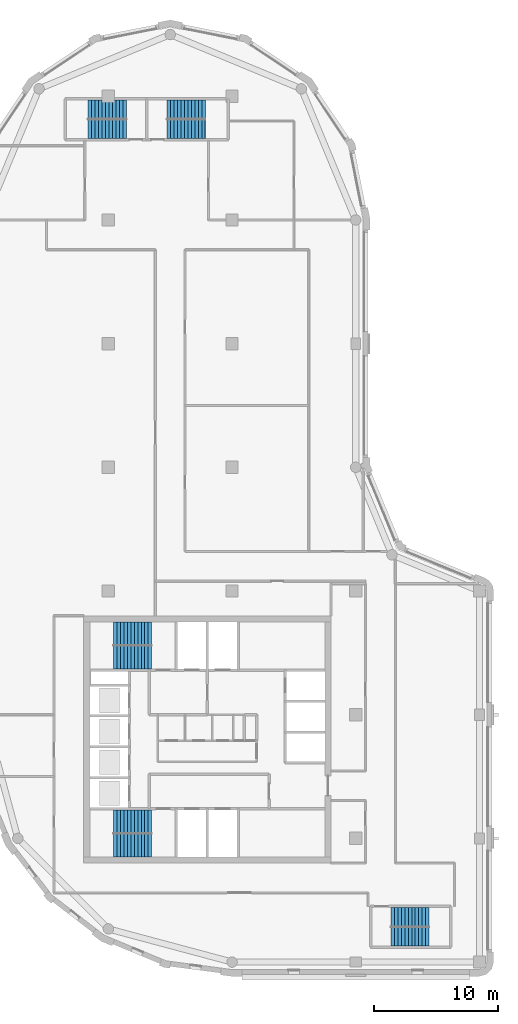
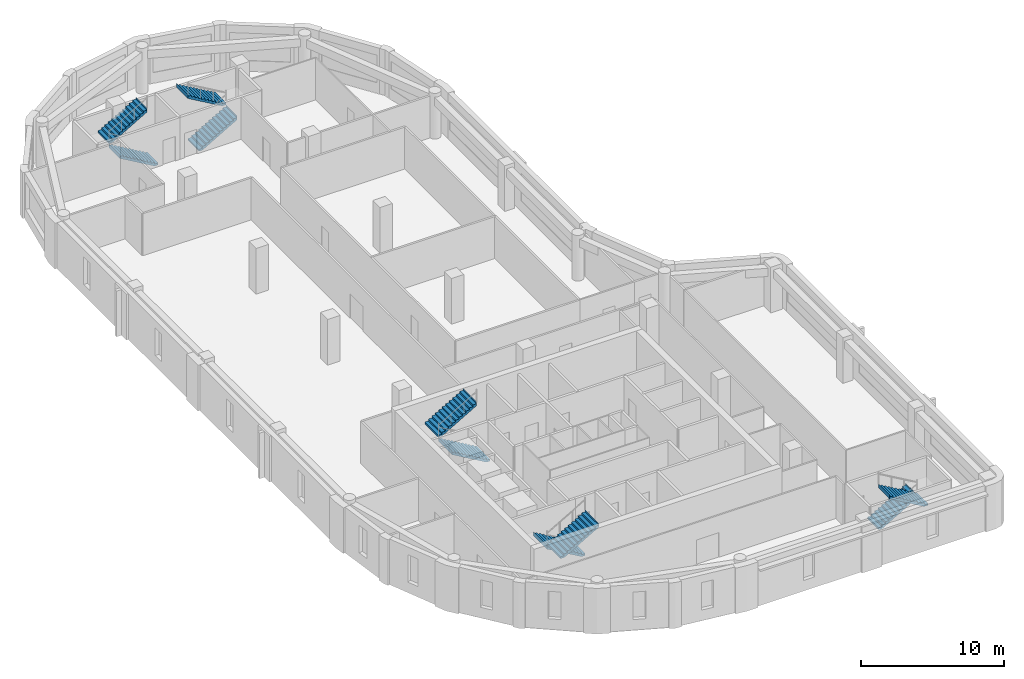
# One storey, part 6 of 8: 10 stair flights, 5 elements without a shape of their own.
"""IFC4 building model written with IfcOpenShell, lengths in metres."""

import ifcopenshell
import ifcopenshell.guid

model = None  # the IFC model being written
_history = None  # IfcOwnerHistory: only IFC2X3 demands one
_inside = {}  # id of a spatial element -> (the spatial element, [elements in it])
_under = {}  # id of a project, library or spatial element -> (it, [spatial elements below it])
_declared = {}  # id of a project -> (the project, [libraries it declares])
_typed = {}  # id of a type object -> (the type object, [elements of that type])
_made_of = {}  # id of a material, layer set ... -> (it, [elements and type objects made of it])


def new_model(schema):
    """Start an empty IFC model of exactly this schema.

    Asked for "IFC4X3", IfcOpenShell would pick the latest addendum, in which some entities
    have other attributes; the version numbers below select the first issue.
    IFC2X3 requires an IfcOwnerHistory on every rooted entity: one is made here for all.
    """
    global model, _history
    if schema == "IFC4X3":
        model = ifcopenshell.file(schema_version=(4, 3, 0, 0))
    else:
        model = ifcopenshell.file(schema=schema)
    _inside.clear()
    _under.clear()
    _declared.clear()
    _typed.clear()
    _made_of.clear()
    _history = None
    if model.schema == "IFC2X3":
        org = make("IfcOrganization", Name="unknown")
        user = make(
            "IfcPersonAndOrganization",
            ThePerson=make("IfcPerson", FamilyName="unknown"),
            TheOrganization=org,
        )
        app = make(
            "IfcApplication",
            ApplicationDeveloper=org,
            Version="unknown",
            ApplicationFullName="unknown",
            ApplicationIdentifier="unknown",
        )
        _history = make(
            "IfcOwnerHistory",
            OwningUser=user,
            OwningApplication=app,
            ChangeAction="ADDED",
            CreationDate=0,
        )
    return model


def make(cls, **values):
    """One entity of the class cls with the attributes given. An attribute that is None is left unset."""
    return model.create_entity(
        cls, **{name: value for name, value in values.items() if value is not None}
    )


def rooted(cls, **values):
    """An entity with a GlobalId (a new one), such as an element, a storey or a relation."""
    return make(cls, GlobalId=ifcopenshell.guid.new(), OwnerHistory=_history, **values)


def si_unit(unit_type, name, prefix=None):
    """IfcSIUnit, for example si_unit("LENGTHUNIT", "METRE", prefix="MILLI")."""
    return make("IfcSIUnit", UnitType=unit_type, Prefix=prefix, Name=name)


def assignment(units):
    """IfcUnitAssignment: the units of a project."""
    return None if units is None else make("IfcUnitAssignment", Units=units)


def point(xyz):
    """IfcCartesianPoint."""
    return None if xyz is None else make("IfcCartesianPoint", Coordinates=xyz)


def direction(xyz):
    """IfcDirection."""
    return None if xyz is None else make("IfcDirection", DirectionRatios=xyz)


def frame(location, z_axis=None, x_axis=None):
    """IfcAxis2Placement3D, a coordinate frame: its origin and axes. An axis left out is left unset."""
    return make(
        "IfcAxis2Placement3D",
        Location=point(location),
        Axis=direction(z_axis),
        RefDirection=direction(x_axis),
    )


def origin():
    """The frame at (0, 0, 0) with its axes left unset."""
    return frame((0.0, 0.0, 0.0))


def place(relative_to, where):
    """IfcLocalPlacement: puts the frame where relative to a parent placement (None: the world)."""
    return make(
        "IfcLocalPlacement", PlacementRelTo=relative_to, RelativePlacement=where
    )


def context(
    kind, dimensions, precision=None, world=None, true_north=None, identifier=None
):
    """IfcGeometricRepresentationContext, for example the 3D "Model" context."""
    return make(
        "IfcGeometricRepresentationContext",
        ContextIdentifier=identifier,
        ContextType=kind,
        CoordinateSpaceDimension=dimensions,
        Precision=precision,
        WorldCoordinateSystem=world,
        TrueNorth=true_north,
    )


def subcontext(parent, identifier, kind, view, scale=None):
    """IfcGeometricRepresentationSubContext, for example "Body" below "Model"."""
    return make(
        "IfcGeometricRepresentationSubContext",
        ContextIdentifier=identifier,
        ContextType=kind,
        ParentContext=parent,
        TargetScale=scale,
        TargetView=view,
    )


def project(units=None, contexts=None):
    """IfcProject with its units and contexts."""
    return rooted(
        "IfcProject",
        Name="project",
        RepresentationContexts=contexts,
        UnitsInContext=assignment(units),
    )


def spatial(cls, under=None, at=None, **own):
    """A site, building, storey or space (cls), placed at a placement, below another one or the project."""
    s = rooted(cls, ObjectPlacement=at, **own)
    if under is not None:
        _under.setdefault(under.id(), (under, []))[1].append(s)
    return s


def polyline(points):
    """IfcPolyline through the points."""
    return make("IfcPolyline", Points=[point(p) for p in points])


def outline(outer, holes=None, kind="AREA"):
    """IfcArbitraryClosedProfileDef: a profile drawn as a closed curve; with holes, ...WithVoids."""
    if holes is None:
        return make("IfcArbitraryClosedProfileDef", ProfileType=kind, OuterCurve=outer)
    return make(
        "IfcArbitraryProfileDefWithVoids",
        ProfileType=kind,
        OuterCurve=outer,
        InnerCurves=holes,
    )


def extrude(swept, where, along, depth):
    """IfcExtrudedAreaSolid: the profile swept, set in the frame where, extruded along a direction by depth."""
    return make(
        "IfcExtrudedAreaSolid",
        SweptArea=swept,
        Position=where,
        ExtrudedDirection=direction(along),
        Depth=depth,
    )


def shape(context_of_items, identifier, shape_type, items):
    """IfcShapeRepresentation: the items that make up one representation, for example the "Body"."""
    return make(
        "IfcShapeRepresentation",
        ContextOfItems=context_of_items,
        RepresentationIdentifier=identifier,
        RepresentationType=shape_type,
        Items=items,
    )


def material(Name=None, Category=None):
    """IfcMaterial."""
    return make("IfcMaterial", Name=Name, Category=Category)


def made_of(thing, what):
    """Note that an element or type object is made of a material, layer set ...; save() writes the relation."""
    if what is not None:
        _made_of.setdefault(what.id(), (what, []))[1].append(thing)
    return thing


def type_object(cls, material=None, **own):
    """A type object (cls), such as IfcWallType, which elements share."""
    return made_of(rooted(cls, **own), material)


def element(
    cls,
    number,
    at=None,
    inside=None,
    cuts=None,
    type_object=None,
    material=None,
    context=None,
    identifier="Body",
    shape_type=None,
    held_by="IfcProductDefinitionShape",
    body=None,
    shapes=None,
    **own,
):
    """One element of the class cls, such as IfcWall. Its Tag is "e" and its number.

    at: its placement. inside: the storey or other place that contains it. cuts: it is an
    opening in that element (IfcRelVoidsElement). A single representation is given by context,
    identifier, shape_type and body (its items); several are given by shapes. held_by: the class
    of the entity that holds the representations. save() writes the other relations.
    """
    e = rooted(cls, Tag="e%d" % number, ObjectPlacement=at, **own)
    if body is not None:
        shapes = [shape(context, identifier, shape_type, body)]
    if shapes is not None:
        e.Representation = make(held_by, Representations=shapes)
    if inside is not None:
        _inside.setdefault(inside.id(), (inside, []))[1].append(e)
    if cuts is not None:
        rooted(
            "IfcRelVoidsElement", RelatingBuildingElement=cuts, RelatedOpeningElement=e
        )
    if type_object is not None:
        _typed.setdefault(type_object.id(), (type_object, []))[1].append(e)
    return made_of(e, material)


def aggregate(whole, parts):
    """IfcRelAggregates: a whole, such as a stair, and the parts it consists of."""
    return rooted("IfcRelAggregates", RelatingObject=whole, RelatedObjects=parts)


def save(model, path):
    """Write the relations noted so far, then the file.

    IfcRelAggregates (storeys below a building ...), IfcRelContainedInSpatialStructure (elements
    in a storey), IfcRelDefinesByType, IfcRelAssociatesMaterial and IfcRelDeclares: one each for
    every whole, place, type object, material and project.
    """
    for whole, parts in _under.values():
        aggregate(whole, parts)
    for where, things in _inside.values():
        rooted(
            "IfcRelContainedInSpatialStructure",
            RelatedElements=things,
            RelatingStructure=where,
        )
    for kind, things in _typed.values():
        rooted("IfcRelDefinesByType", RelatedObjects=things, RelatingType=kind)
    for what, things in _made_of.values():
        rooted("IfcRelAssociatesMaterial", RelatedObjects=things, RelatingMaterial=what)
    for by, libraries in _declared.values():
        rooted("IfcRelDeclares", RelatingContext=by, RelatedDefinitions=libraries)
    model.write(path)


model = new_model("IFC4")

# Units and contexts
model_context = context("Model", 3, precision=1e-05, world=origin(), true_north=direction((0.0, 1.0)))
body_context = subcontext(model_context, "Body", "Model", "MODEL_VIEW")
ifc_project = project(units=[si_unit("LENGTHUNIT", "METRE"), si_unit("AREAUNIT", "SQUARE_METRE"), si_unit("VOLUMEUNIT", "CUBIC_METRE"), si_unit("PLANEANGLEUNIT", "RADIAN"), si_unit("MASSUNIT", "GRAM", prefix="KILO")], contexts=[model_context])

# Site, building, storey
site_placement = place(None, origin())
site = spatial("IfcSite", under=ifc_project, at=site_placement, CompositionType="ELEMENT")
building_placement = place(site_placement, origin())
building = spatial("IfcBuilding", under=site, at=building_placement, Name="Qaws Garden Tower", CompositionType="ELEMENT")
storey_placement = place(building_placement, frame((0.0, 0.0, 341.10009765625)))
storey = spatial("IfcBuildingStorey", under=building, at=storey_placement, Name="L83", CompositionType="ELEMENT", Elevation=341.10009765625)

# Stair, stair flights
ifc_material_1 = material(Name="Concrete C40", Category="concrete")
stair_type_1 = type_object("IfcStairType", Name="Exit stair 1350", PredefinedType="HALF_TURN_STAIR", material=ifc_material_1)
placement = place(storey_placement, origin())
stair_1 = element("IfcStair", 1, at=placement, inside=storey, type_object=stair_type_1, Name="Stair 5", PredefinedType="HALF_TURN_STAIR")
ifc_material_2 = material(Name="Concrete C40", Category="concrete")
stair_flight_type_1 = type_object("IfcStairFlightType", Name="Stair flight 1350", PredefinedType="STRAIGHT", material=ifc_material_2)
stair_flight_1_placement = place(storey_placement, frame((32.85009765625, 3.625, 0.0), z_axis=(0.0, 0.0, 1.0), x_axis=(1.0, 0.0, 0.0)))
stair_flight_1 = element("IfcStairFlight", 2, at=stair_flight_1_placement, type_object=stair_flight_type_1, Name="ST5 flight 1", NumberOfRisers=12, NumberOfTreads=11, PredefinedType="STRAIGHT", RiserHeight=0.1625, TreadLength=0.28, context=body_context, shape_type="SweptSolid", body=[
    extrude(outline(polyline([(-0.0029296875, 0.0), (-0.0029296875, 0.16259765625), (0.0, 0.16259765625), (0.280029296875, 0.16259765625), (0.280029296875, 0.324951171875), (0.56005859375, 0.324951171875), (0.56005859375, 0.487548828125), (0.840087890625, 0.487548828125), (0.840087890625, 0.64990234375), (1.1201171875, 0.64990234375), (1.1201171875, 0.8125), (1.39990234375, 0.8125), (1.39990234375, 0.97509765625), (1.679931640625, 0.97509765625), (1.679931640625, 1.137451171875), (1.9599609375, 1.137451171875), (1.9599609375, 1.300048828125), (2.239990234375, 1.300048828125), (2.239990234375, 1.46240234375), (2.52001953125, 1.46240234375), (2.52001953125, 1.625), (2.800048828125, 1.625), (2.800048828125, 1.78759765625), (3.080078125, 1.78759765625), (3.080078125, 1.949951171875), (3.0830078125, 1.949951171875), (3.0830078125, 1.6142578125), (3.080078125, 1.6142578125), (0.298583984375, 0.0), (-0.0029296875, 0.0)])), frame((0.0, 0.77490234375, 0.0), z_axis=(0.0, -1.0, 0.0), x_axis=(1.0, 0.0, 0.0)), (0.0, 0.0, 1.0), 1.550048828125),
])
stair_flight_2_placement = place(storey_placement, frame((35.929931640625, 2.074951171875, 1.949951171875), z_axis=(0.0, 0.0, 1.0), x_axis=(-1.0, 0.0, 0.0)))
stair_flight_2 = element("IfcStairFlight", 3, at=stair_flight_2_placement, type_object=stair_flight_type_1, Name="ST5 flight 2", NumberOfRisers=12, NumberOfTreads=11, PredefinedType="STRAIGHT", RiserHeight=0.1625, TreadLength=0.28, context=body_context, shape_type="SweptSolid", body=[
    extrude(outline(polyline([(-0.0029296875, 0.0), (-0.0029296875, 0.16259765625), (0.0, 0.16259765625), (0.280029296875, 0.16259765625), (0.280029296875, 0.324951171875), (0.56005859375, 0.324951171875), (0.56005859375, 0.487548828125), (0.840087890625, 0.487548828125), (0.840087890625, 0.64990234375), (1.1201171875, 0.64990234375), (1.1201171875, 0.8125), (1.39990234375, 0.8125), (1.39990234375, 0.97509765625), (1.679931640625, 0.97509765625), (1.679931640625, 1.137451171875), (1.9599609375, 1.137451171875), (1.9599609375, 1.300048828125), (2.239990234375, 1.300048828125), (2.239990234375, 1.46240234375), (2.52001953125, 1.46240234375), (2.52001953125, 1.625), (2.800048828125, 1.625), (2.800048828125, 1.78759765625), (3.080078125, 1.78759765625), (3.080078125, 1.949951171875), (3.0830078125, 1.949951171875), (3.0830078125, 1.6142578125), (3.080078125, 1.6142578125), (0.298583984375, 0.0), (-0.0029296875, 0.0)])), frame((0.0, 0.77490234375, 0.0), z_axis=(0.0, -1.0, 0.0), x_axis=(1.0, 0.0, 0.0)), (0.0, 0.0, 1.0), 1.550048828125),
])
aggregate(stair_1, [stair_flight_1, stair_flight_2])

stair_2 = element("IfcStair", 4, at=placement, inside=storey, type_object=stair_type_1, Name="Stair 6", PredefinedType="HALF_TURN_STAIR")
stair_flight_3_placement = place(storey_placement, frame((11.449951171875, 67.375, 0.0), z_axis=(0.0, 0.0, 1.0), x_axis=(-1.0, 0.0, 0.0)))
stair_flight_3 = element("IfcStairFlight", 5, at=stair_flight_3_placement, type_object=stair_flight_type_1, Name="ST6 flight 1", NumberOfRisers=12, NumberOfTreads=11, PredefinedType="STRAIGHT", RiserHeight=0.1625, TreadLength=0.28, context=body_context, shape_type="SweptSolid", body=[
    extrude(outline(polyline([(-0.0029296875, 0.0), (-0.0029296875, 0.16259765625), (0.0, 0.16259765625), (0.280029296875, 0.16259765625), (0.280029296875, 0.324951171875), (0.56005859375, 0.324951171875), (0.56005859375, 0.487548828125), (0.840087890625, 0.487548828125), (0.840087890625, 0.64990234375), (1.1201171875, 0.64990234375), (1.1201171875, 0.8125), (1.39990234375, 0.8125), (1.39990234375, 0.97509765625), (1.679931640625, 0.97509765625), (1.679931640625, 1.137451171875), (1.9599609375, 1.137451171875), (1.9599609375, 1.300048828125), (2.239990234375, 1.300048828125), (2.239990234375, 1.46240234375), (2.52001953125, 1.46240234375), (2.52001953125, 1.625), (2.800048828125, 1.625), (2.800048828125, 1.78759765625), (3.080078125, 1.78759765625), (3.080078125, 1.949951171875), (3.0830078125, 1.949951171875), (3.0830078125, 1.6142578125), (3.080078125, 1.6142578125), (0.298583984375, 0.0), (-0.0029296875, 0.0)])), frame((0.0, 0.77490234375, 0.0), z_axis=(0.0, -1.0, 0.0), x_axis=(1.0, 0.0, 0.0)), (0.0, 0.0, 1.0), 1.550048828125),
])
stair_flight_4_placement = place(storey_placement, frame((8.3701171875, 68.925048828125, 1.949951171875), z_axis=(0.0, 0.0, 1.0), x_axis=(1.0, 0.0, 0.0)))
stair_flight_4 = element("IfcStairFlight", 6, at=stair_flight_4_placement, type_object=stair_flight_type_1, Name="ST6 flight 2", NumberOfRisers=12, NumberOfTreads=11, PredefinedType="STRAIGHT", RiserHeight=0.1625, TreadLength=0.28, context=body_context, shape_type="SweptSolid", body=[
    extrude(outline(polyline([(-0.0029296875, 0.0), (-0.0029296875, 0.16259765625), (0.0, 0.16259765625), (0.280029296875, 0.16259765625), (0.280029296875, 0.324951171875), (0.56005859375, 0.324951171875), (0.56005859375, 0.487548828125), (0.840087890625, 0.487548828125), (0.840087890625, 0.64990234375), (1.1201171875, 0.64990234375), (1.1201171875, 0.8125), (1.39990234375, 0.8125), (1.39990234375, 0.97509765625), (1.679931640625, 0.97509765625), (1.679931640625, 1.137451171875), (1.9599609375, 1.137451171875), (1.9599609375, 1.300048828125), (2.239990234375, 1.300048828125), (2.239990234375, 1.46240234375), (2.52001953125, 1.46240234375), (2.52001953125, 1.625), (2.800048828125, 1.625), (2.800048828125, 1.78759765625), (3.080078125, 1.78759765625), (3.080078125, 1.949951171875), (3.0830078125, 1.949951171875), (3.0830078125, 1.6142578125), (3.080078125, 1.6142578125), (0.298583984375, 0.0), (-0.0029296875, 0.0)])), frame((0.0, 0.77490234375, 0.0), z_axis=(0.0, -1.0, 0.0), x_axis=(1.0, 0.0, 0.0)), (0.0, 0.0, 1.0), 1.550048828125),
])
aggregate(stair_2, [stair_flight_3, stair_flight_4])

stair_3 = element("IfcStair", 7, at=placement, inside=storey, type_object=stair_type_1, Name="Stair 7", PredefinedType="HALF_TURN_STAIR")
stair_flight_5_placement = place(storey_placement, frame((14.75, 67.375, 0.0), z_axis=(0.0, 0.0, 1.0), x_axis=(1.0, 0.0, 0.0)))
stair_flight_5 = element("IfcStairFlight", 8, at=stair_flight_5_placement, type_object=stair_flight_type_1, Name="ST7 flight 1", NumberOfRisers=12, NumberOfTreads=11, PredefinedType="STRAIGHT", RiserHeight=0.1625, TreadLength=0.28, context=body_context, shape_type="SweptSolid", body=[
    extrude(outline(polyline([(-0.0029296875, 0.0), (-0.0029296875, 0.16259765625), (0.0, 0.16259765625), (0.280029296875, 0.16259765625), (0.280029296875, 0.324951171875), (0.56005859375, 0.324951171875), (0.56005859375, 0.487548828125), (0.840087890625, 0.487548828125), (0.840087890625, 0.64990234375), (1.1201171875, 0.64990234375), (1.1201171875, 0.8125), (1.39990234375, 0.8125), (1.39990234375, 0.97509765625), (1.679931640625, 0.97509765625), (1.679931640625, 1.137451171875), (1.9599609375, 1.137451171875), (1.9599609375, 1.300048828125), (2.239990234375, 1.300048828125), (2.239990234375, 1.46240234375), (2.52001953125, 1.46240234375), (2.52001953125, 1.625), (2.800048828125, 1.625), (2.800048828125, 1.78759765625), (3.080078125, 1.78759765625), (3.080078125, 1.949951171875), (3.0830078125, 1.949951171875), (3.0830078125, 1.6142578125), (3.080078125, 1.6142578125), (0.298583984375, 0.0), (-0.0029296875, 0.0)])), frame((0.0, 0.77490234375, 0.0), z_axis=(0.0, -1.0, 0.0), x_axis=(1.0, 0.0, 0.0)), (0.0, 0.0, 1.0), 1.550048828125),
])
stair_flight_6_placement = place(storey_placement, frame((17.830078125, 68.925048828125, 1.949951171875), z_axis=(0.0, 0.0, 1.0), x_axis=(-1.0, 0.0, 0.0)))
stair_flight_6 = element("IfcStairFlight", 9, at=stair_flight_6_placement, type_object=stair_flight_type_1, Name="ST7 flight 2", NumberOfRisers=12, NumberOfTreads=11, PredefinedType="STRAIGHT", RiserHeight=0.1625, TreadLength=0.28, context=body_context, shape_type="SweptSolid", body=[
    extrude(outline(polyline([(-0.0029296875, 0.0), (-0.0029296875, 0.16259765625), (0.0, 0.16259765625), (0.280029296875, 0.16259765625), (0.280029296875, 0.324951171875), (0.56005859375, 0.324951171875), (0.56005859375, 0.487548828125), (0.840087890625, 0.487548828125), (0.840087890625, 0.64990234375), (1.1201171875, 0.64990234375), (1.1201171875, 0.8125), (1.39990234375, 0.8125), (1.39990234375, 0.97509765625), (1.679931640625, 0.97509765625), (1.679931640625, 1.137451171875), (1.9599609375, 1.137451171875), (1.9599609375, 1.300048828125), (2.239990234375, 1.300048828125), (2.239990234375, 1.46240234375), (2.52001953125, 1.46240234375), (2.52001953125, 1.625), (2.800048828125, 1.625), (2.800048828125, 1.78759765625), (3.080078125, 1.78759765625), (3.080078125, 1.949951171875), (3.0830078125, 1.949951171875), (3.0830078125, 1.6142578125), (3.080078125, 1.6142578125), (0.298583984375, 0.0), (-0.0029296875, 0.0)])), frame((0.0, 0.77490234375, 0.0), z_axis=(0.0, -1.0, 0.0), x_axis=(1.0, 0.0, 0.0)), (0.0, 0.0, 1.0), 1.550048828125),
])
aggregate(stair_3, [stair_flight_5, stair_flight_6])

ifc_material_3 = material(Name="Concrete C40", Category="concrete")
stair_type_2 = type_object("IfcStairType", Name="Exit stair 1500", PredefinedType="HALF_TURN_STAIR", material=ifc_material_3)
stair_4 = element("IfcStair", 10, at=placement, inside=storey, type_object=stair_type_2, Name="Stair 1", PredefinedType="HALF_TURN_STAIR")
ifc_material_4 = material(Name="Concrete C40", Category="concrete")
stair_flight_type_2 = type_object("IfcStairFlightType", Name="Stair flight 1500", PredefinedType="STRAIGHT", material=ifc_material_4)
stair_flight_7_placement = place(storey_placement, frame((13.5, 11.35009765625, 0.0), z_axis=(0.0, 0.0, 1.0), x_axis=(-1.0, 0.0, 0.0)))
stair_flight_7 = element("IfcStairFlight", 11, at=stair_flight_7_placement, type_object=stair_flight_type_2, Name="ST1 flight 1", NumberOfRisers=12, NumberOfTreads=11, PredefinedType="STRAIGHT", RiserHeight=0.1625, TreadLength=0.28, context=body_context, shape_type="SweptSolid", body=[
    extrude(outline(polyline([(-0.0029296875, 0.0), (-0.0029296875, 0.16259765625), (0.0, 0.16259765625), (0.280029296875, 0.16259765625), (0.280029296875, 0.324951171875), (0.56005859375, 0.324951171875), (0.56005859375, 0.487548828125), (0.840087890625, 0.487548828125), (0.840087890625, 0.64990234375), (1.1201171875, 0.64990234375), (1.1201171875, 0.8125), (1.39990234375, 0.8125), (1.39990234375, 0.97509765625), (1.679931640625, 0.97509765625), (1.679931640625, 1.137451171875), (1.9599609375, 1.137451171875), (1.9599609375, 1.300048828125), (2.239990234375, 1.300048828125), (2.239990234375, 1.46240234375), (2.52001953125, 1.46240234375), (2.52001953125, 1.625), (2.800048828125, 1.625), (2.800048828125, 1.78759765625), (3.080078125, 1.78759765625), (3.080078125, 1.949951171875), (3.0830078125, 1.949951171875), (3.0830078125, 1.6142578125), (3.080078125, 1.6142578125), (0.298583984375, 0.0), (-0.0029296875, 0.0)])), frame((0.0, 0.949951171875, 0.0), z_axis=(0.0, -1.0, 0.0), x_axis=(1.0, 0.0, 0.0)), (0.0, 0.0, 1.0), 1.89990234375),
])
stair_flight_8_placement = place(storey_placement, frame((10.419921875, 9.449951171875, 1.949951171875), z_axis=(0.0, 0.0, 1.0), x_axis=(1.0, 0.0, 0.0)))
stair_flight_8 = element("IfcStairFlight", 12, at=stair_flight_8_placement, type_object=stair_flight_type_2, Name="ST1 flight 2", NumberOfRisers=12, NumberOfTreads=11, PredefinedType="STRAIGHT", RiserHeight=0.1625, TreadLength=0.28, context=body_context, shape_type="SweptSolid", body=[
    extrude(outline(polyline([(-0.0029296875, 0.0), (-0.0029296875, 0.16259765625), (0.0, 0.16259765625), (0.280029296875, 0.16259765625), (0.280029296875, 0.324951171875), (0.56005859375, 0.324951171875), (0.56005859375, 0.487548828125), (0.840087890625, 0.487548828125), (0.840087890625, 0.64990234375), (1.1201171875, 0.64990234375), (1.1201171875, 0.8125), (1.39990234375, 0.8125), (1.39990234375, 0.97509765625), (1.679931640625, 0.97509765625), (1.679931640625, 1.137451171875), (1.9599609375, 1.137451171875), (1.9599609375, 1.300048828125), (2.239990234375, 1.300048828125), (2.239990234375, 1.46240234375), (2.52001953125, 1.46240234375), (2.52001953125, 1.625), (2.800048828125, 1.625), (2.800048828125, 1.78759765625), (3.080078125, 1.78759765625), (3.080078125, 1.949951171875), (3.0830078125, 1.949951171875), (3.0830078125, 1.6142578125), (3.080078125, 1.6142578125), (0.298583984375, 0.0), (-0.0029296875, 0.0)])), frame((0.0, 0.949951171875, 0.0), z_axis=(0.0, -1.0, 0.0), x_axis=(1.0, 0.0, 0.0)), (0.0, 0.0, 1.0), 1.89990234375),
])
aggregate(stair_4, [stair_flight_7, stair_flight_8])

stair_5 = element("IfcStair", 13, at=placement, inside=storey, type_object=stair_type_2, Name="Stair 4", PredefinedType="HALF_TURN_STAIR")
stair_flight_9_placement = place(storey_placement, frame((13.5, 24.64990234375, 0.0), z_axis=(0.0, 0.0, 1.0), x_axis=(-1.0, 0.0, 0.0)))
stair_flight_9 = element("IfcStairFlight", 14, at=stair_flight_9_placement, type_object=stair_flight_type_2, Name="ST4 flight 1", NumberOfRisers=12, NumberOfTreads=11, PredefinedType="STRAIGHT", RiserHeight=0.1625, TreadLength=0.28, context=body_context, shape_type="SweptSolid", body=[
    extrude(outline(polyline([(-0.0029296875, 0.0), (-0.0029296875, 0.16259765625), (0.0, 0.16259765625), (0.280029296875, 0.16259765625), (0.280029296875, 0.324951171875), (0.56005859375, 0.324951171875), (0.56005859375, 0.487548828125), (0.840087890625, 0.487548828125), (0.840087890625, 0.64990234375), (1.1201171875, 0.64990234375), (1.1201171875, 0.8125), (1.39990234375, 0.8125), (1.39990234375, 0.97509765625), (1.679931640625, 0.97509765625), (1.679931640625, 1.137451171875), (1.9599609375, 1.137451171875), (1.9599609375, 1.300048828125), (2.239990234375, 1.300048828125), (2.239990234375, 1.46240234375), (2.52001953125, 1.46240234375), (2.52001953125, 1.625), (2.800048828125, 1.625), (2.800048828125, 1.78759765625), (3.080078125, 1.78759765625), (3.080078125, 1.949951171875), (3.0830078125, 1.949951171875), (3.0830078125, 1.6142578125), (3.080078125, 1.6142578125), (0.298583984375, 0.0), (-0.0029296875, 0.0)])), frame((0.0, 0.94482421875, 0.0), z_axis=(0.0, -1.0, 0.0), x_axis=(1.0, 0.0, 0.0)), (0.0, 0.0, 1.0), 1.889892578125),
])
stair_flight_10_placement = place(storey_placement, frame((10.419921875, 26.550048828125, 1.949951171875), z_axis=(0.0, 0.0, 1.0), x_axis=(1.0, 0.0, 0.0)))
stair_flight_10 = element("IfcStairFlight", 15, at=stair_flight_10_placement, type_object=stair_flight_type_2, Name="ST4 flight 2", NumberOfRisers=12, NumberOfTreads=11, PredefinedType="STRAIGHT", RiserHeight=0.1625, TreadLength=0.28, context=body_context, shape_type="SweptSolid", body=[
    extrude(outline(polyline([(-0.0029296875, 0.0), (-0.0029296875, 0.16259765625), (0.0, 0.16259765625), (0.280029296875, 0.16259765625), (0.280029296875, 0.324951171875), (0.56005859375, 0.324951171875), (0.56005859375, 0.487548828125), (0.840087890625, 0.487548828125), (0.840087890625, 0.64990234375), (1.1201171875, 0.64990234375), (1.1201171875, 0.8125), (1.39990234375, 0.8125), (1.39990234375, 0.97509765625), (1.679931640625, 0.97509765625), (1.679931640625, 1.137451171875), (1.9599609375, 1.137451171875), (1.9599609375, 1.300048828125), (2.239990234375, 1.300048828125), (2.239990234375, 1.46240234375), (2.52001953125, 1.46240234375), (2.52001953125, 1.625), (2.800048828125, 1.625), (2.800048828125, 1.78759765625), (3.080078125, 1.78759765625), (3.080078125, 1.949951171875), (3.0830078125, 1.949951171875), (3.0830078125, 1.6142578125), (3.080078125, 1.6142578125), (0.298583984375, 0.0), (-0.0029296875, 0.0)])), frame((0.0, 0.94482421875, 0.0), z_axis=(0.0, -1.0, 0.0), x_axis=(1.0, 0.0, 0.0)), (0.0, 0.0, 1.0), 1.889892578125),
])
aggregate(stair_5, [stair_flight_9, stair_flight_10])

save(model, "model.ifc")
